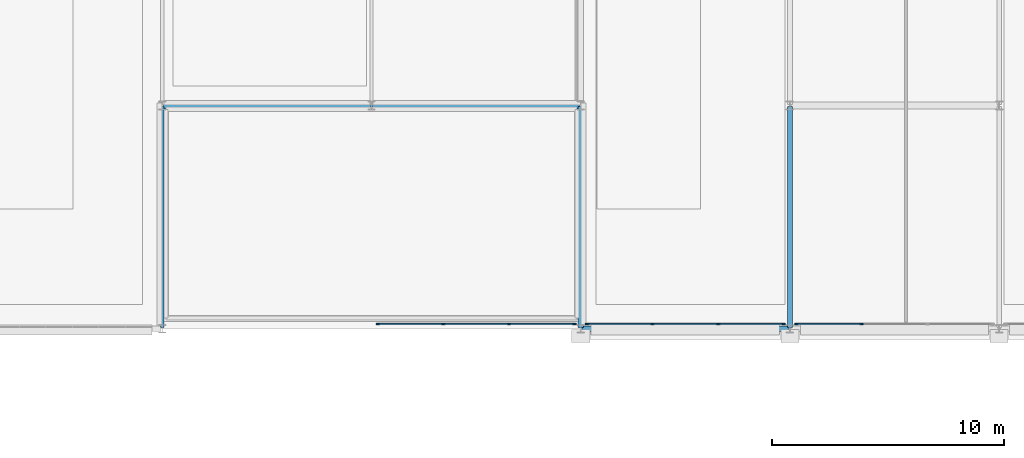
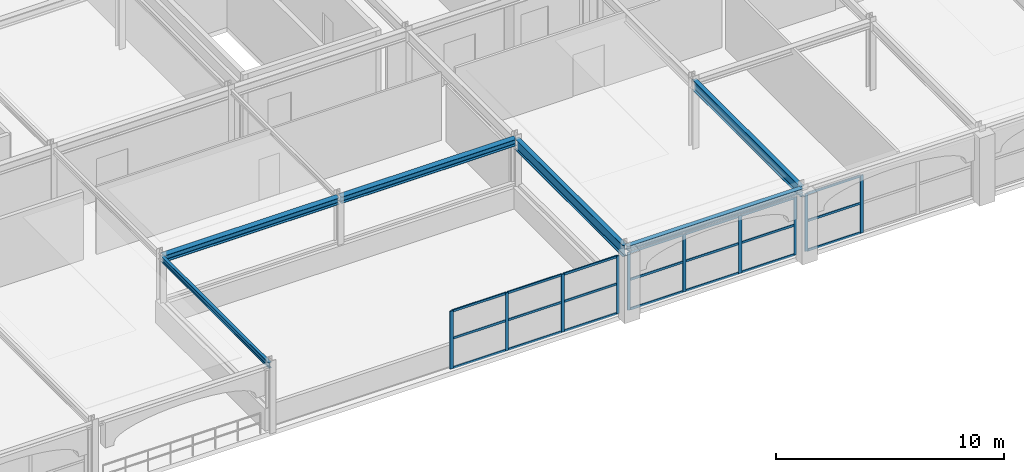
# One storey, part 12 of 25: 31 members, 6 beams, 3 elements without a shape of their own.
"""IFC4 building model written with IfcOpenShell, lengths in metres."""

from ifc_helpers import new_model, si_unit, direction, frame, origin, origin_2d, place, context, subcontext, project, spatial, rectangle, i_section, extrude, material, layer, layer_set, material_profile, profile_set, type_object, element, aggregate, save


model = new_model("IFC4")

# Units and contexts
model_context = context("Model", 3, precision=1e-05, world=origin(), true_north=direction((0.0, 1.0)))
body_context = subcontext(model_context, "Body", "Model", "MODEL_VIEW")
ifc_project = project(units=[si_unit("LENGTHUNIT", "METRE"), si_unit("AREAUNIT", "SQUARE_METRE"), si_unit("VOLUMEUNIT", "CUBIC_METRE"), si_unit("PLANEANGLEUNIT", "RADIAN"), si_unit("MASSUNIT", "GRAM", prefix="KILO")], contexts=[model_context])

# Site, building, storey
site_placement = place(None, origin())
site = spatial("IfcSite", under=ifc_project, at=site_placement, CompositionType="ELEMENT")
building_placement = place(site_placement, origin())
building = spatial("IfcBuilding", under=site, at=building_placement, Name="Myrtia Square Station", CompositionType="ELEMENT")
storey_placement = place(building_placement, frame((0.0, 0.0, 18.89990234375)))
storey = spatial("IfcBuildingStorey", under=building, at=storey_placement, Name="L04", CompositionType="ELEMENT", Elevation=18.89990234375)

# Beams
ifc_material_1 = material(Name="Steel S355", Category="steel")
ifc_material_profile_1 = material_profile(ifc_material_1, i_section(OverallWidth=0.300048828125, OverallDepth=0.35009765625, WebThickness=0.010009765625, FlangeThickness=0.017578125, FilletRadius=0.027099609375, at=origin_2d()), Name="HEA 360")
ifc_profile_set_1 = profile_set([ifc_material_profile_1], Name="Steel S355")
beam_type_1 = type_object("IfcBeamType", Name="BM-HEA360", PredefinedType="BEAM", material=ifc_profile_set_1)
for number, where, z_axis, x_axis, name in (
    (1, (144.050048828125, 96.0, 3.47998046875), (1.0, 0.0, 0.0), (0.0, 1.0, 0.0), "Structural girder BMX-L04-0877"),
    (2, (153.050048828125, 96.0, 3.47998046875), (1.0, 0.0, 0.0), (0.0, 1.0, 0.0), "Structural girder BMX-L04-0878"),
):
    element("IfcBeam", number, at=place(storey_placement, frame(where, z_axis=z_axis, x_axis=x_axis)), inside=storey, type_object=beam_type_1, Name=name, PredefinedType="BEAM", context=body_context, shape_type="SweptSolid", body=[
        extrude(i_section(OverallWidth=0.300048828125, OverallDepth=0.35009765625, WebThickness=0.010009765625, FlangeThickness=0.017578125, FilletRadius=0.027099609375, at=origin_2d()), origin(), (0.0, 0.0, 1.0), 8.89990234375),
    ])
ifc_material_profile_2 = material_profile(ifc_material_1, i_section(OverallWidth=0.14990234375, OverallDepth=0.300048828125, WebThickness=0.007080078125, FlangeThickness=0.0107421875, FilletRadius=0.014892578125, at=origin_2d()), Name="IPE 300")
ifc_profile_set_2 = profile_set([ifc_material_profile_2], Name="Steel S355")
beam_type_2 = type_object("IfcBeamType", Name="BM-IPE300", PredefinedType="BEAM", material=ifc_profile_set_2)
beam_1_placement = place(storey_placement, frame((144.0, 86.449951171875, 3.505126953125), z_axis=(0.0, 1.0, 0.0), x_axis=(-1.0, 0.0, 0.0)))
element("IfcBeam", 3, at=beam_1_placement, inside=storey, type_object=beam_type_2, Name="Structural girder BMY-L04-0902", PredefinedType="BEAM", context=body_context, shape_type="SweptSolid", body=[
    extrude(i_section(OverallWidth=0.14990234375, OverallDepth=0.300048828125, WebThickness=0.007080078125, FlangeThickness=0.0107421875, FilletRadius=0.014892578125, at=origin_2d()), origin(), (0.0, 0.0, 1.0), 9.5),
])
ifc_material_profile_3 = material_profile(ifc_material_1, i_section(OverallWidth=0.2099609375, OverallDepth=0.550048828125, WebThickness=0.010986328125, FlangeThickness=0.01708984375, FilletRadius=0.02392578125, at=origin_2d()), Name="IPE 550")
ifc_profile_set_3 = profile_set([ifc_material_profile_3], Name="Steel S355")
beam_type_3 = type_object("IfcBeamType", Name="BM-IPE550", PredefinedType="BEAM", material=ifc_profile_set_3)
beam_2_placement = place(storey_placement, frame((171.0, 86.449951171875, 3.380126953125), z_axis=(0.0, 1.0, 0.0), x_axis=(-1.0, 0.0, 0.0)))
element("IfcBeam", 4, at=beam_2_placement, inside=storey, type_object=beam_type_3, Name="Structural girder BMY-L04-0913", PredefinedType="BEAM", context=body_context, shape_type="SweptSolid", body=[
    extrude(i_section(OverallWidth=0.2099609375, OverallDepth=0.550048828125, WebThickness=0.010986328125, FlangeThickness=0.01708984375, FilletRadius=0.02392578125, at=origin_2d()), origin(), (0.0, 0.0, 1.0), 9.5),
])
ifc_material_profile_4 = material_profile(ifc_material_1, i_section(OverallWidth=0.219970703125, OverallDepth=0.60009765625, WebThickness=0.011962890625, FlangeThickness=0.01904296875, FilletRadius=0.02392578125, at=origin_2d()), Name="IPE 600")
ifc_profile_set_4 = profile_set([ifc_material_profile_4], Name="Steel S355")
beam_type_4 = type_object("IfcBeamType", Name="BM-IPE600", PredefinedType="BEAM", material=ifc_profile_set_4)
beam_3_placement = place(storey_placement, frame((162.0, 86.449951171875, 3.35498046875), z_axis=(0.0, 1.0, 0.0), x_axis=(-1.0, 0.0, 0.0)))
element("IfcBeam", 5, at=beam_3_placement, inside=storey, type_object=beam_type_4, Name="Structural girder BMY-L04-0909", PredefinedType="BEAM", context=body_context, shape_type="SweptSolid", body=[
    extrude(i_section(OverallWidth=0.219970703125, OverallDepth=0.60009765625, WebThickness=0.011962890625, FlangeThickness=0.01904296875, FilletRadius=0.02392578125, at=origin_2d()), origin(), (0.0, 0.0, 1.0), 9.5),
])

# Curtain wall, members
ifc_material_2 = material(Name="Dark bronze anodised aluminium", Category="aluminium")
ifc_layer = layer(ifc_material_2, 0.159912109375, Name="Dark bronze anodised aluminium")
ifc_layer_set = layer_set([ifc_layer], Name="Dark bronze anodised aluminium")
curtain_wall_type = type_object("IfcCurtainWallType", Name="CW-TYPE-43-850x310", PredefinedType="USERDEFINED", material=ifc_layer_set)
curtain_wall_1_placement = place(storey_placement, origin())
curtain_wall_1 = element("IfcCurtainWall", 6, at=curtain_wall_1_placement, inside=storey, type_object=curtain_wall_type, Name="Concourse curtain wall CW-L04-135", ObjectType="CONCOURSE CURTAIN WALL", PredefinedType="USERDEFINED")
ifc_material_profile_5 = material_profile(ifc_material_2, rectangle(XDim=0.06005859375, YDim=0.159912109375, at=origin_2d()), Name="ALU-M 60x160")
ifc_profile_set_5 = profile_set([ifc_material_profile_5], Name="Dark bronze anodised aluminium")
member_type_1 = type_object("IfcMemberType", Name="CWM-60x160", PredefinedType="MULLION", material=ifc_profile_set_5)
member_1_placement = place(storey_placement, frame((153.280029296875, 86.60009765625, 0.0), z_axis=(0.0, 0.0, 1.0), x_axis=(0.0, 1.0, 0.0)))
member_1 = element("IfcMember", 7, at=member_1_placement, type_object=member_type_1, Name="CW-135 mullion 1", PredefinedType="MULLION", context=body_context, shape_type="SweptSolid", body=[
    extrude(rectangle(XDim=0.06005859375, YDim=0.159912109375, at=origin_2d()), origin(), (0.0, 0.0, 1.0), 3.10009765625),
])
member_2_placement = place(storey_placement, frame((156.083251953125, 86.60009765625, 0.0), z_axis=(0.0, 0.0, 1.0), x_axis=(0.0, 1.0, 0.0)))
member_2 = element("IfcMember", 8, at=member_2_placement, type_object=member_type_1, Name="CW-135 mullion 2", PredefinedType="MULLION", context=body_context, shape_type="SweptSolid", body=[
    extrude(rectangle(XDim=0.06005859375, YDim=0.159912109375, at=origin_2d()), origin(), (0.0, 0.0, 1.0), 3.10009765625),
])
member_3_placement = place(storey_placement, frame((158.916748046875, 86.60009765625, 0.0), z_axis=(0.0, 0.0, 1.0), x_axis=(0.0, 1.0, 0.0)))
member_3 = element("IfcMember", 9, at=member_3_placement, type_object=member_type_1, Name="CW-135 mullion 3", PredefinedType="MULLION", context=body_context, shape_type="SweptSolid", body=[
    extrude(rectangle(XDim=0.06005859375, YDim=0.159912109375, at=origin_2d()), origin(), (0.0, 0.0, 1.0), 3.10009765625),
])
member_4_placement = place(storey_placement, frame((161.719970703125, 86.60009765625, 0.0), z_axis=(0.0, 0.0, 1.0), x_axis=(0.0, 1.0, 0.0)))
member_4 = element("IfcMember", 10, at=member_4_placement, type_object=member_type_1, Name="CW-135 mullion 4", PredefinedType="MULLION", context=body_context, shape_type="SweptSolid", body=[
    extrude(rectangle(XDim=0.06005859375, YDim=0.159912109375, at=origin_2d()), origin(), (0.0, 0.0, 1.0), 3.10009765625),
])

curtain_wall_2_placement = place(storey_placement, origin())
curtain_wall_2 = element("IfcCurtainWall", 11, at=curtain_wall_2_placement, inside=storey, type_object=curtain_wall_type, Name="Concourse curtain wall CW-L04-140", ObjectType="CONCOURSE CURTAIN WALL", PredefinedType="USERDEFINED")
member_5_placement = place(storey_placement, frame((162.280029296875, 86.60009765625, 0.0), z_axis=(0.0, 0.0, 1.0), x_axis=(0.0, 1.0, 0.0)))
member_5 = element("IfcMember", 12, at=member_5_placement, type_object=member_type_1, Name="CW-140 mullion 1", PredefinedType="MULLION", context=body_context, shape_type="SweptSolid", body=[
    extrude(rectangle(XDim=0.06005859375, YDim=0.159912109375, at=origin_2d()), origin(), (0.0, 0.0, 1.0), 3.10009765625),
])
member_6_placement = place(storey_placement, frame((165.083251953125, 86.60009765625, 0.0), z_axis=(0.0, 0.0, 1.0), x_axis=(0.0, 1.0, 0.0)))
member_6 = element("IfcMember", 13, at=member_6_placement, type_object=member_type_1, Name="CW-140 mullion 2", PredefinedType="MULLION", context=body_context, shape_type="SweptSolid", body=[
    extrude(rectangle(XDim=0.06005859375, YDim=0.159912109375, at=origin_2d()), origin(), (0.0, 0.0, 1.0), 3.10009765625),
])
member_7_placement = place(storey_placement, frame((167.916748046875, 86.60009765625, 0.0), z_axis=(0.0, 0.0, 1.0), x_axis=(0.0, 1.0, 0.0)))
member_7 = element("IfcMember", 14, at=member_7_placement, type_object=member_type_1, Name="CW-140 mullion 3", PredefinedType="MULLION", context=body_context, shape_type="SweptSolid", body=[
    extrude(rectangle(XDim=0.06005859375, YDim=0.159912109375, at=origin_2d()), origin(), (0.0, 0.0, 1.0), 3.10009765625),
])
member_8_placement = place(storey_placement, frame((170.719970703125, 86.60009765625, 0.0), z_axis=(0.0, 0.0, 1.0), x_axis=(0.0, 1.0, 0.0)))
member_8 = element("IfcMember", 15, at=member_8_placement, type_object=member_type_1, Name="CW-140 mullion 4", PredefinedType="MULLION", context=body_context, shape_type="SweptSolid", body=[
    extrude(rectangle(XDim=0.06005859375, YDim=0.159912109375, at=origin_2d()), origin(), (0.0, 0.0, 1.0), 3.10009765625),
])

curtain_wall_3_placement = place(storey_placement, origin())
curtain_wall_3 = element("IfcCurtainWall", 16, at=curtain_wall_3_placement, inside=storey, type_object=curtain_wall_type, Name="Concourse curtain wall CW-L04-145", ObjectType="CONCOURSE CURTAIN WALL", PredefinedType="USERDEFINED")
member_9_placement = place(storey_placement, frame((171.280029296875, 86.60009765625, 0.0), z_axis=(0.0, 0.0, 1.0), x_axis=(0.0, 1.0, 0.0)))
member_9 = element("IfcMember", 17, at=member_9_placement, type_object=member_type_1, Name="CW-145 mullion 1", PredefinedType="MULLION", context=body_context, shape_type="SweptSolid", body=[
    extrude(rectangle(XDim=0.06005859375, YDim=0.159912109375, at=origin_2d()), origin(), (0.0, 0.0, 1.0), 3.10009765625),
])
member_10_placement = place(storey_placement, frame((174.083251953125, 86.60009765625, 0.0), z_axis=(0.0, 0.0, 1.0), x_axis=(0.0, 1.0, 0.0)))
member_10 = element("IfcMember", 18, at=member_10_placement, type_object=member_type_1, Name="CW-145 mullion 2", PredefinedType="MULLION", context=body_context, shape_type="SweptSolid", body=[
    extrude(rectangle(XDim=0.06005859375, YDim=0.159912109375, at=origin_2d()), origin(), (0.0, 0.0, 1.0), 3.10009765625),
])

# Member
ifc_material_profile_6 = material_profile(ifc_material_2, rectangle(XDim=0.06005859375, YDim=0.1201171875, at=origin_2d()), Name="ALU-T 60x120")
ifc_profile_set_6 = profile_set([ifc_material_profile_6], Name="Dark bronze anodised aluminium")
member_type_2 = type_object("IfcMemberType", Name="CWT-60x120", PredefinedType="USERDEFINED", material=ifc_profile_set_6)
member_11_placement = place(storey_placement, frame((153.31005859375, 86.60009765625, 0.030029296875), z_axis=(1.0, 0.0, 0.0), x_axis=(0.0, 1.0, 0.0)))
member_11 = element("IfcMember", 19, at=member_11_placement, type_object=member_type_2, Name="CW-135 transom 1.1", ObjectType="TRANSOM", PredefinedType="USERDEFINED", context=body_context, shape_type="SweptSolid", body=[
    extrude(rectangle(XDim=0.06005859375, YDim=0.1201171875, at=origin_2d()), origin(), (0.0, 0.0, 1.0), 2.7431640625),
])

member_12_placement = place(storey_placement, frame((153.31005859375, 86.60009765625, 1.612060546875), z_axis=(1.0, 0.0, 0.0), x_axis=(0.0, 1.0, 0.0)))
member_12 = element("IfcMember", 20, at=member_12_placement, type_object=member_type_2, Name="CW-135 transom 1.2", ObjectType="TRANSOM", PredefinedType="USERDEFINED", context=body_context, shape_type="SweptSolid", body=[
    extrude(rectangle(XDim=0.06005859375, YDim=0.1201171875, at=origin_2d()), origin(), (0.0, 0.0, 1.0), 2.7431640625),
])

member_13_placement = place(storey_placement, frame((153.31005859375, 86.60009765625, 3.070068359375), z_axis=(1.0, 0.0, 0.0), x_axis=(0.0, 1.0, 0.0)))
member_13 = element("IfcMember", 21, at=member_13_placement, type_object=member_type_2, Name="CW-135 transom 1.3", ObjectType="TRANSOM", PredefinedType="USERDEFINED", context=body_context, shape_type="SweptSolid", body=[
    extrude(rectangle(XDim=0.06005859375, YDim=0.1201171875, at=origin_2d()), origin(), (0.0, 0.0, 1.0), 2.7431640625),
])

member_14_placement = place(storey_placement, frame((156.11328125, 86.60009765625, 0.030029296875), z_axis=(1.0, 0.0, 0.0), x_axis=(0.0, 1.0, 0.0)))
member_14 = element("IfcMember", 22, at=member_14_placement, type_object=member_type_2, Name="CW-135 transom 2.1", ObjectType="TRANSOM", PredefinedType="USERDEFINED", context=body_context, shape_type="SweptSolid", body=[
    extrude(rectangle(XDim=0.06005859375, YDim=0.1201171875, at=origin_2d()), origin(), (0.0, 0.0, 1.0), 2.7734375),
])

member_15_placement = place(storey_placement, frame((156.11328125, 86.60009765625, 1.612060546875), z_axis=(1.0, 0.0, 0.0), x_axis=(0.0, 1.0, 0.0)))
member_15 = element("IfcMember", 23, at=member_15_placement, type_object=member_type_2, Name="CW-135 transom 2.2", ObjectType="TRANSOM", PredefinedType="USERDEFINED", context=body_context, shape_type="SweptSolid", body=[
    extrude(rectangle(XDim=0.06005859375, YDim=0.1201171875, at=origin_2d()), origin(), (0.0, 0.0, 1.0), 2.7734375),
])

member_16_placement = place(storey_placement, frame((156.11328125, 86.60009765625, 3.070068359375), z_axis=(1.0, 0.0, 0.0), x_axis=(0.0, 1.0, 0.0)))
member_16 = element("IfcMember", 24, at=member_16_placement, type_object=member_type_2, Name="CW-135 transom 2.3", ObjectType="TRANSOM", PredefinedType="USERDEFINED", context=body_context, shape_type="SweptSolid", body=[
    extrude(rectangle(XDim=0.06005859375, YDim=0.1201171875, at=origin_2d()), origin(), (0.0, 0.0, 1.0), 2.7734375),
])

member_17_placement = place(storey_placement, frame((158.94677734375, 86.60009765625, 0.030029296875), z_axis=(1.0, 0.0, 0.0), x_axis=(0.0, 1.0, 0.0)))
member_17 = element("IfcMember", 25, at=member_17_placement, type_object=member_type_2, Name="CW-135 transom 3.1", ObjectType="TRANSOM", PredefinedType="USERDEFINED", context=body_context, shape_type="SweptSolid", body=[
    extrude(rectangle(XDim=0.06005859375, YDim=0.1201171875, at=origin_2d()), origin(), (0.0, 0.0, 1.0), 2.7431640625),
])

member_18_placement = place(storey_placement, frame((158.94677734375, 86.60009765625, 1.612060546875), z_axis=(1.0, 0.0, 0.0), x_axis=(0.0, 1.0, 0.0)))
member_18 = element("IfcMember", 26, at=member_18_placement, type_object=member_type_2, Name="CW-135 transom 3.2", ObjectType="TRANSOM", PredefinedType="USERDEFINED", context=body_context, shape_type="SweptSolid", body=[
    extrude(rectangle(XDim=0.06005859375, YDim=0.1201171875, at=origin_2d()), origin(), (0.0, 0.0, 1.0), 2.7431640625),
])

member_19_placement = place(storey_placement, frame((158.94677734375, 86.60009765625, 3.070068359375), z_axis=(1.0, 0.0, 0.0), x_axis=(0.0, 1.0, 0.0)))
member_19 = element("IfcMember", 27, at=member_19_placement, type_object=member_type_2, Name="CW-135 transom 3.3", ObjectType="TRANSOM", PredefinedType="USERDEFINED", context=body_context, shape_type="SweptSolid", body=[
    extrude(rectangle(XDim=0.06005859375, YDim=0.1201171875, at=origin_2d()), origin(), (0.0, 0.0, 1.0), 2.7431640625),
])

aggregate(curtain_wall_1, [member_1, member_2, member_3, member_4, member_11, member_12, member_13, member_14, member_15, member_16, member_17, member_18, member_19])

member_20_placement = place(storey_placement, frame((162.31005859375, 86.60009765625, 0.030029296875), z_axis=(1.0, 0.0, 0.0), x_axis=(0.0, 1.0, 0.0)))
member_20 = element("IfcMember", 28, at=member_20_placement, type_object=member_type_2, Name="CW-140 transom 1.1", ObjectType="TRANSOM", PredefinedType="USERDEFINED", context=body_context, shape_type="SweptSolid", body=[
    extrude(rectangle(XDim=0.06005859375, YDim=0.1201171875, at=origin_2d()), origin(), (0.0, 0.0, 1.0), 2.7431640625),
])

member_21_placement = place(storey_placement, frame((162.31005859375, 86.60009765625, 1.612060546875), z_axis=(1.0, 0.0, 0.0), x_axis=(0.0, 1.0, 0.0)))
member_21 = element("IfcMember", 29, at=member_21_placement, type_object=member_type_2, Name="CW-140 transom 1.2", ObjectType="TRANSOM", PredefinedType="USERDEFINED", context=body_context, shape_type="SweptSolid", body=[
    extrude(rectangle(XDim=0.06005859375, YDim=0.1201171875, at=origin_2d()), origin(), (0.0, 0.0, 1.0), 2.7431640625),
])

member_22_placement = place(storey_placement, frame((162.31005859375, 86.60009765625, 3.070068359375), z_axis=(1.0, 0.0, 0.0), x_axis=(0.0, 1.0, 0.0)))
member_22 = element("IfcMember", 30, at=member_22_placement, type_object=member_type_2, Name="CW-140 transom 1.3", ObjectType="TRANSOM", PredefinedType="USERDEFINED", context=body_context, shape_type="SweptSolid", body=[
    extrude(rectangle(XDim=0.06005859375, YDim=0.1201171875, at=origin_2d()), origin(), (0.0, 0.0, 1.0), 2.7431640625),
])

member_23_placement = place(storey_placement, frame((165.11328125, 86.60009765625, 0.030029296875), z_axis=(1.0, 0.0, 0.0), x_axis=(0.0, 1.0, 0.0)))
member_23 = element("IfcMember", 31, at=member_23_placement, type_object=member_type_2, Name="CW-140 transom 2.1", ObjectType="TRANSOM", PredefinedType="USERDEFINED", context=body_context, shape_type="SweptSolid", body=[
    extrude(rectangle(XDim=0.06005859375, YDim=0.1201171875, at=origin_2d()), origin(), (0.0, 0.0, 1.0), 2.7734375),
])

member_24_placement = place(storey_placement, frame((165.11328125, 86.60009765625, 1.612060546875), z_axis=(1.0, 0.0, 0.0), x_axis=(0.0, 1.0, 0.0)))
member_24 = element("IfcMember", 32, at=member_24_placement, type_object=member_type_2, Name="CW-140 transom 2.2", ObjectType="TRANSOM", PredefinedType="USERDEFINED", context=body_context, shape_type="SweptSolid", body=[
    extrude(rectangle(XDim=0.06005859375, YDim=0.1201171875, at=origin_2d()), origin(), (0.0, 0.0, 1.0), 2.7734375),
])

member_25_placement = place(storey_placement, frame((165.11328125, 86.60009765625, 3.070068359375), z_axis=(1.0, 0.0, 0.0), x_axis=(0.0, 1.0, 0.0)))
member_25 = element("IfcMember", 33, at=member_25_placement, type_object=member_type_2, Name="CW-140 transom 2.3", ObjectType="TRANSOM", PredefinedType="USERDEFINED", context=body_context, shape_type="SweptSolid", body=[
    extrude(rectangle(XDim=0.06005859375, YDim=0.1201171875, at=origin_2d()), origin(), (0.0, 0.0, 1.0), 2.7734375),
])

member_26_placement = place(storey_placement, frame((167.94677734375, 86.60009765625, 0.030029296875), z_axis=(1.0, 0.0, 0.0), x_axis=(0.0, 1.0, 0.0)))
member_26 = element("IfcMember", 34, at=member_26_placement, type_object=member_type_2, Name="CW-140 transom 3.1", ObjectType="TRANSOM", PredefinedType="USERDEFINED", context=body_context, shape_type="SweptSolid", body=[
    extrude(rectangle(XDim=0.06005859375, YDim=0.1201171875, at=origin_2d()), origin(), (0.0, 0.0, 1.0), 2.7431640625),
])

member_27_placement = place(storey_placement, frame((167.94677734375, 86.60009765625, 1.612060546875), z_axis=(1.0, 0.0, 0.0), x_axis=(0.0, 1.0, 0.0)))
member_27 = element("IfcMember", 35, at=member_27_placement, type_object=member_type_2, Name="CW-140 transom 3.2", ObjectType="TRANSOM", PredefinedType="USERDEFINED", context=body_context, shape_type="SweptSolid", body=[
    extrude(rectangle(XDim=0.06005859375, YDim=0.1201171875, at=origin_2d()), origin(), (0.0, 0.0, 1.0), 2.7431640625),
])

member_28_placement = place(storey_placement, frame((167.94677734375, 86.60009765625, 3.070068359375), z_axis=(1.0, 0.0, 0.0), x_axis=(0.0, 1.0, 0.0)))
member_28 = element("IfcMember", 36, at=member_28_placement, type_object=member_type_2, Name="CW-140 transom 3.3", ObjectType="TRANSOM", PredefinedType="USERDEFINED", context=body_context, shape_type="SweptSolid", body=[
    extrude(rectangle(XDim=0.06005859375, YDim=0.1201171875, at=origin_2d()), origin(), (0.0, 0.0, 1.0), 2.7431640625),
])

aggregate(curtain_wall_2, [member_5, member_6, member_7, member_8, member_20, member_21, member_22, member_23, member_24, member_25, member_26, member_27, member_28])

member_29_placement = place(storey_placement, frame((171.31005859375, 86.60009765625, 0.030029296875), z_axis=(1.0, 0.0, 0.0), x_axis=(0.0, 1.0, 0.0)))
member_29 = element("IfcMember", 37, at=member_29_placement, type_object=member_type_2, Name="CW-145 transom 1.1", ObjectType="TRANSOM", PredefinedType="USERDEFINED", context=body_context, shape_type="SweptSolid", body=[
    extrude(rectangle(XDim=0.06005859375, YDim=0.1201171875, at=origin_2d()), origin(), (0.0, 0.0, 1.0), 2.7431640625),
])

member_30_placement = place(storey_placement, frame((171.31005859375, 86.60009765625, 1.612060546875), z_axis=(1.0, 0.0, 0.0), x_axis=(0.0, 1.0, 0.0)))
member_30 = element("IfcMember", 38, at=member_30_placement, type_object=member_type_2, Name="CW-145 transom 1.2", ObjectType="TRANSOM", PredefinedType="USERDEFINED", context=body_context, shape_type="SweptSolid", body=[
    extrude(rectangle(XDim=0.06005859375, YDim=0.1201171875, at=origin_2d()), origin(), (0.0, 0.0, 1.0), 2.7431640625),
])

member_31_placement = place(storey_placement, frame((171.31005859375, 86.60009765625, 3.070068359375), z_axis=(1.0, 0.0, 0.0), x_axis=(0.0, 1.0, 0.0)))
member_31 = element("IfcMember", 39, at=member_31_placement, type_object=member_type_2, Name="CW-145 transom 1.3", ObjectType="TRANSOM", PredefinedType="USERDEFINED", context=body_context, shape_type="SweptSolid", body=[
    extrude(rectangle(XDim=0.06005859375, YDim=0.1201171875, at=origin_2d()), origin(), (0.0, 0.0, 1.0), 2.7431640625),
])

aggregate(curtain_wall_3, [member_9, member_10, member_29, member_30, member_31])

# Beam
ifc_material_profile_7 = material_profile(ifc_material_1, i_section(OverallWidth=0.239990234375, OverallDepth=0.239990234375, WebThickness=0.010009765625, FlangeThickness=0.01708984375, FilletRadius=0.02099609375, at=origin_2d()), Name="HEB 240")
ifc_profile_set_7 = profile_set([ifc_material_profile_7], Name="Steel S355")
beam_type_5 = type_object("IfcBeamType", Name="SPN-HEB240", PredefinedType="SPANDREL", material=ifc_profile_set_7)
beam_4_placement = place(storey_placement, frame((162.050048828125, 86.39990234375, 3.53515625), z_axis=(1.0, 0.0, 0.0), x_axis=(0.0, 1.0, 0.0)))
element("IfcBeam", 40, at=beam_4_placement, inside=storey, type_object=beam_type_5, Name="Structural girder SPN-L04-0262", PredefinedType="SPANDREL", context=body_context, shape_type="SweptSolid", body=[
    extrude(i_section(OverallWidth=0.239990234375, OverallDepth=0.239990234375, WebThickness=0.010009765625, FlangeThickness=0.01708984375, FilletRadius=0.02099609375, at=origin_2d()), origin(), (0.0, 0.0, 1.0), 8.89990234375),
])

save(model, "model.ifc")
